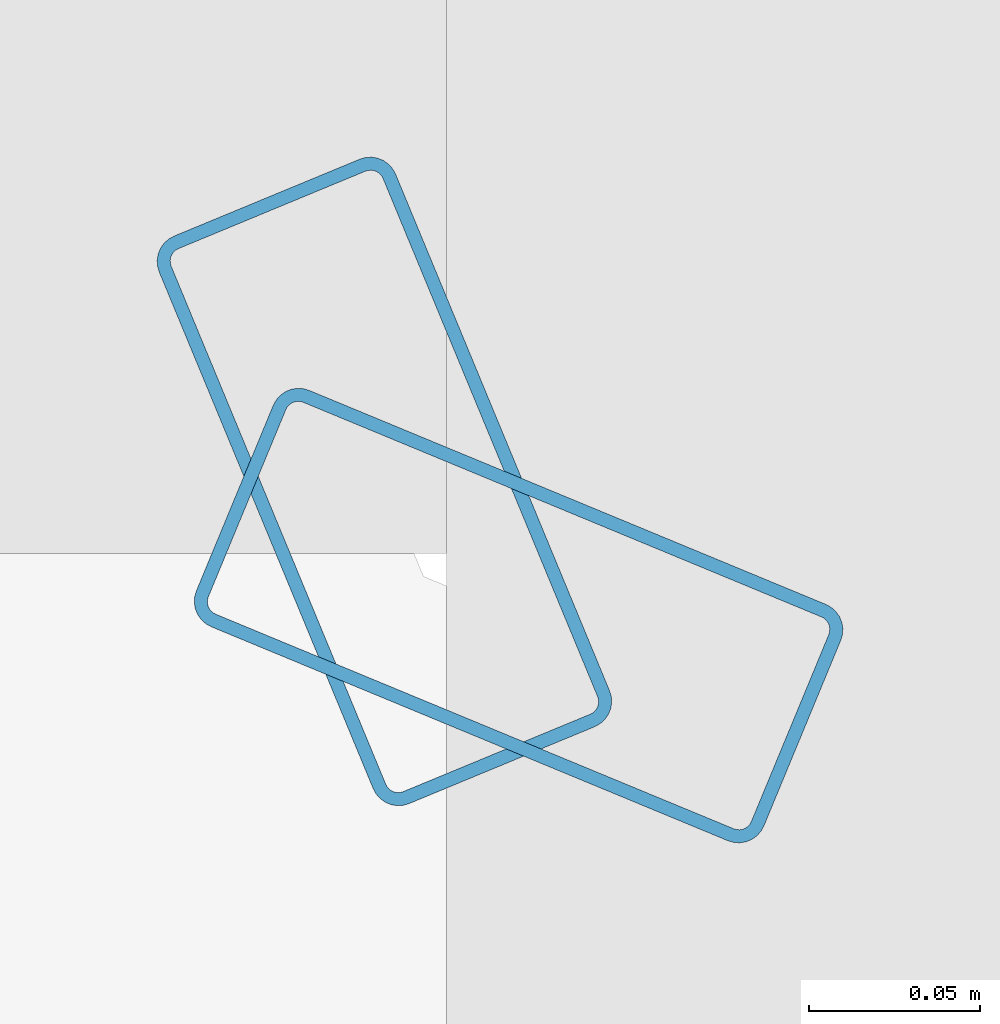
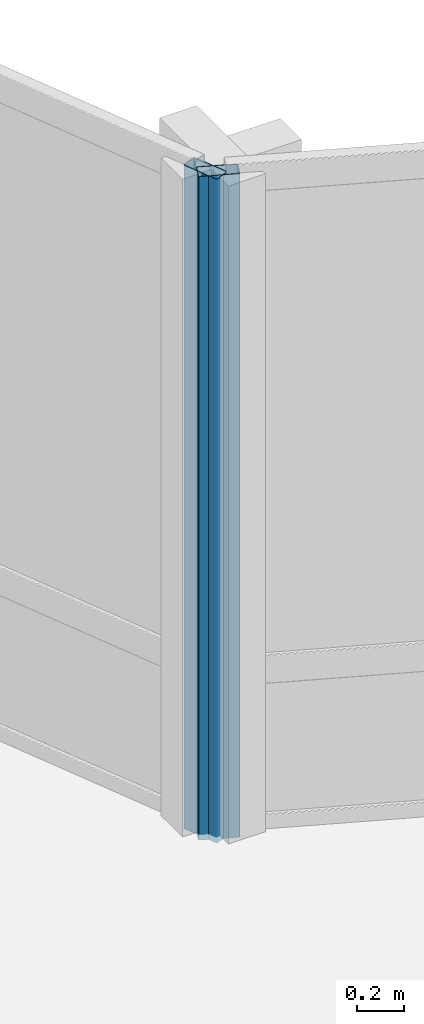
# One storey, part 8 of 34: 2 members, 2 elements without a shape of their own.
"""IFC4 building model written with IfcOpenShell, lengths in metres."""

from ifc_helpers import new_model, si_unit, direction, frame, origin, origin_2d, place, context, subcontext, project, spatial, hollow_rectangle, extrude, material, layer, layer_set, material_profile, profile_set, type_object, element, aggregate, save


model = new_model("IFC4")

# Units and contexts
model_context = context("Model", 3, precision=1e-05, world=origin(), true_north=direction((0.0, 1.0)))
body_context = subcontext(model_context, "Body", "Model", "MODEL_VIEW")
ifc_project = project(units=[si_unit("LENGTHUNIT", "METRE"), si_unit("AREAUNIT", "SQUARE_METRE"), si_unit("VOLUMEUNIT", "CUBIC_METRE"), si_unit("PLANEANGLEUNIT", "RADIAN"), si_unit("MASSUNIT", "GRAM", prefix="KILO")], contexts=[model_context])

# Site, building, storey
site_placement = place(None, origin())
site = spatial("IfcSite", under=ifc_project, at=site_placement, CompositionType="ELEMENT")
building_placement = place(site_placement, origin())
building = spatial("IfcBuilding", under=site, at=building_placement, Name="Solvaryn Broadcast Tower", CompositionType="ELEMENT")
storey_placement = place(building_placement, frame((0.0, 0.0, 61.89990234375)))
storey = spatial("IfcBuildingStorey", under=building, at=storey_placement, Name="L14", CompositionType="ELEMENT", Elevation=61.89990234375)

# Curtain wall, member
ifc_material_1 = material(Name="Aluminium and Terracotta Unitised Curtain Wall", Category="masonry")
ifc_layer = layer(ifc_material_1, 0.199951171875)
ifc_layer_set = layer_set([ifc_layer], Name="CW-SYS2-LOWMID")
curtain_wall_type = type_object("IfcCurtainWallType", Name="CW-SYS2-LOWMID", PredefinedType="NOTDEFINED", material=ifc_layer_set)
curtain_wall_1_placement = place(storey_placement, origin())
curtain_wall_1 = element("IfcCurtainWall", 1, at=curtain_wall_1_placement, inside=storey, type_object=curtain_wall_type, Name="L14 Curtain Wall CN1", PredefinedType="NOTDEFINED")
ifc_material_2 = material(Name="Anodised Aluminium 6063-T6", Category="aluminium")
ifc_material_profile = material_profile(ifc_material_2, hollow_rectangle(XDim=0.074951171875, YDim=0.179931640625, WallThickness=0.00390625, InnerFilletRadius=0.00390625, OuterFilletRadius=0.008056640625, at=origin_2d()))
ifc_profile_set = profile_set([ifc_material_profile], Name="Anodised Aluminium 6063-T6")
member_type = type_object("IfcMemberType", Name="CW-MUL-180", PredefinedType="MULLION", material=ifc_profile_set)
member_1_placement = place(storey_placement, frame((30.395751953125, 30.3564453125, 0.0), z_axis=(0.0, 0.0, 1.0), x_axis=(-0.382646127145, -0.923894983957, 0.0)))
member_1 = element("IfcMember", 2, at=member_1_placement, type_object=member_type, Name="CWS2 mullion 2", PredefinedType="MULLION", context=body_context, shape_type="SweptSolid", body=[
    extrude(hollow_rectangle(XDim=0.074951171875, YDim=0.179931640625, WallThickness=0.00390625, InnerFilletRadius=0.00390625, OuterFilletRadius=0.008056640625, at=origin_2d()), origin(), (0.0, 0.0, 1.0), 3.420166015625),
])
aggregate(curtain_wall_1, [member_1])

curtain_wall_2_placement = place(storey_placement, origin())
curtain_wall_2 = element("IfcCurtainWall", 3, at=curtain_wall_2_placement, inside=storey, type_object=curtain_wall_type, Name="L14 Curtain Wall CN2", PredefinedType="NOTDEFINED")
member_2_placement = place(storey_placement, frame((30.3564453125, 30.395751953125, 0.0), z_axis=(0.0, 0.0, 1.0), x_axis=(-0.923894983957, -0.382646127145, 0.0)))
member_2 = element("IfcMember", 4, at=member_2_placement, type_object=member_type, Name="CWS2 mullion 1", PredefinedType="MULLION", context=body_context, shape_type="SweptSolid", body=[
    extrude(hollow_rectangle(XDim=0.074951171875, YDim=0.179931640625, WallThickness=0.00390625, InnerFilletRadius=0.00390625, OuterFilletRadius=0.008056640625, at=origin_2d()), origin(), (0.0, 0.0, 1.0), 3.420166015625),
])
aggregate(curtain_wall_2, [member_2])

save(model, "model.ifc")
